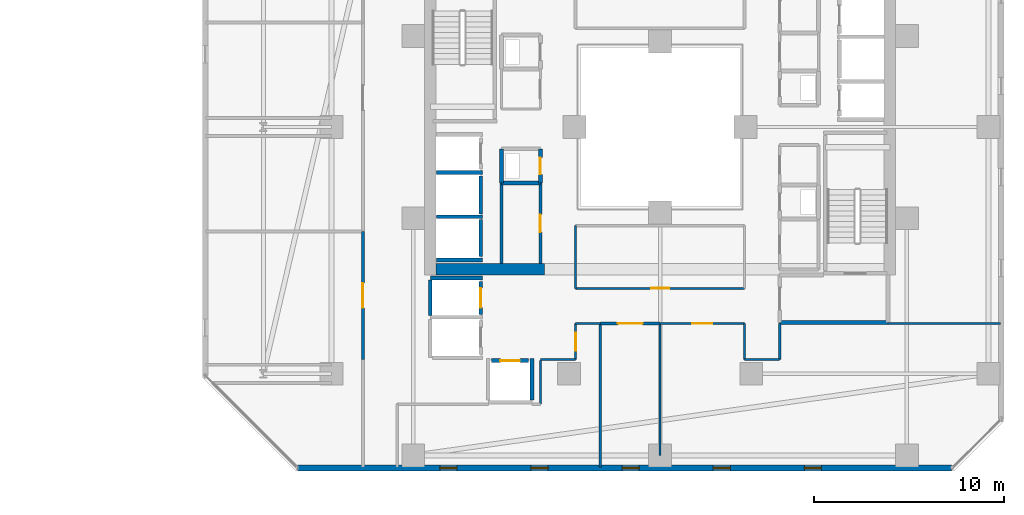
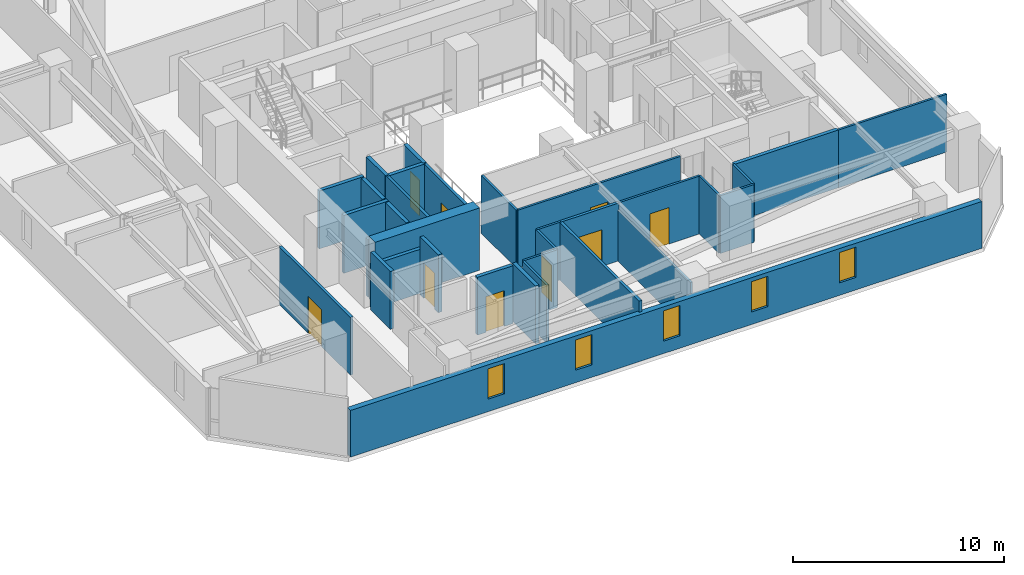
# One storey, part 21 of 31: 33 walls, 9 doors, 5 windows, 14 openings.
"""IFC4 building model written with IfcOpenShell, lengths in metres."""

from ifc_helpers import new_model, si_unit, direction, frame, frame_2d, origin, place, context, subcontext, project, spatial, rectangle, extrude, material, layer, layer_set, type_object, element, fill, save


model = new_model("IFC4")

# Units and contexts
model_context = context("Model", 3, precision=1e-05, world=origin(), true_north=direction((0.0, 1.0)))
body_context = subcontext(model_context, "Body", "Model", "MODEL_VIEW")
ifc_project = project(units=[si_unit("LENGTHUNIT", "METRE"), si_unit("AREAUNIT", "SQUARE_METRE"), si_unit("VOLUMEUNIT", "CUBIC_METRE"), si_unit("PLANEANGLEUNIT", "RADIAN"), si_unit("MASSUNIT", "GRAM", prefix="KILO")], contexts=[model_context])

# Site, building, storey
site_placement = place(None, origin())
site = spatial("IfcSite", under=ifc_project, at=site_placement, CompositionType="ELEMENT")
building_placement = place(site_placement, origin())
building = spatial("IfcBuilding", under=site, at=building_placement, Name="Thornwick Lancets Civic Towers", CompositionType="ELEMENT")
storey_placement = place(building_placement, frame((0.0, 0.0, 90.89990234375)))
storey = spatial("IfcBuildingStorey", under=building, at=storey_placement, Name="L23", CompositionType="ELEMENT", Elevation=90.89990234375)

# Walls
ifc_material_1 = material(Name="Concrete blockwork C40/50", Category="masonry")
ifc_layer_1 = layer(ifc_material_1, 0.199951171875, Name="Concrete blockwork C40/50")
ifc_layer_set_1 = layer_set([ifc_layer_1], Name="Concrete blockwork C40/50")
wall_type_1 = type_object("IfcWallType", Name="WALL_COMP_200", PredefinedType="STANDARD", material=ifc_layer_set_1)
wall_1_placement = place(storey_placement, frame((79.050048828125, 22.429931640625, 0.0), z_axis=(0.0, 0.0, 1.0), x_axis=(0.0, 1.0, 0.0)))
element("IfcWall", 1, at=wall_1_placement, inside=storey, type_object=wall_type_1, Name="L23 Hoistway Front Wall PL-BH2", PredefinedType="STANDARD", context=body_context, shape_type="SweptSolid", body=[
    extrude(rectangle(XDim=1.989990234375, YDim=0.199951171875, at=frame_2d((0.9951171875, 0.0))), origin(), (0.0, 0.0, 1.0), 3.340087890625),
])
wall_2_placement = place(storey_placement, frame((79.050048828125, 20.179931640625, 0.0), z_axis=(0.0, 0.0, 1.0), x_axis=(0.0, 1.0, 0.0)))
element("IfcWall", 2, at=wall_2_placement, inside=storey, type_object=wall_type_1, Name="L23 Hoistway Front Wall PL-BH3", PredefinedType="STANDARD", context=body_context, shape_type="SweptSolid", body=[
    extrude(rectangle(XDim=1.940185546875, YDim=0.199951171875, at=frame_2d((0.97021484375, 0.0))), origin(), (0.0, 0.0, 1.0), 3.340087890625),
])

# Wall, opening, door
wall_3_placement = place(storey_placement, frame((79.050048828125, 17.1298828125, 0.0), z_axis=(0.0, 0.0, 1.0), x_axis=(0.0, 1.0, 0.0)))
wall_3 = element("IfcWall", 3, at=wall_3_placement, inside=storey, type_object=wall_type_1, Name="L23 Hoistway Front Wall PL-BM1", PredefinedType="STANDARD", context=body_context, shape_type="SweptSolid", body=[
    extrude(rectangle(XDim=1.740234375, YDim=0.199951171875, at=frame_2d((0.8701171875, 0.0))), origin(), (0.0, 0.0, 1.0), 3.340087890625),
])
opening_1_placement = place(wall_3_placement, frame((0.360107421875, 0.0, 0.0)))
opening_1 = element("IfcOpeningElement", 4, at=opening_1_placement, cuts=wall_3, Name="Opening LD-PL-BM1", PredefinedType="OPENING", context=body_context, shape_type="SweptSolid", body=[
    extrude(rectangle(XDim=1.02001953125, YDim=2.06005859375, at=frame_2d((0.510009765625, 1.030029296875))), frame((0.0, 0.10986328125, 0.0), z_axis=(0.0, -1.0, 0.0), x_axis=(1.0, 0.0, 0.0)), (0.0, 0.0, 1.0), 0.219970703125),
])
ifc_material_2 = material(Name="Brushed bronze stainless steel", Category="steel")
door_type_1 = type_object("IfcDoorType", Name="DOOR_LIFT_SLIDE", OperationType="SLIDING_TO_LEFT", PredefinedType="DOOR", material=ifc_material_2)
door_1_placement = place(opening_1_placement, origin())
door_1 = element("IfcDoor", 5, at=door_1_placement, inside=storey, type_object=door_type_1, Name="L23 Sliding Lift Landing Door LD-PL-BM1", OperationType="SLIDING_TO_LEFT", OverallHeight=2.06005859375, OverallWidth=1.02001953125, PredefinedType="DOOR", context=body_context, shape_type="SweptSolid", body=[
    extrude(rectangle(XDim=1.02001953125, YDim=2.06005859375, at=frame_2d((0.510009765625, 1.030029296875))), frame((0.0, 0.02490234375, 0.0), z_axis=(0.0, -1.0, 0.0), x_axis=(1.0, 0.0, 0.0)), (0.0, 0.0, 1.0), 0.050048828125),
])
fill(opening_1, door_1)

wall_4_placement = place(storey_placement, frame((79.6298828125, 14.699951171875, 0.0), z_axis=(0.0, 0.0, 1.0), x_axis=(1.0, 0.0, 0.0)))
wall_4 = element("IfcWall", 6, at=wall_4_placement, inside=storey, type_object=wall_type_1, Name="L23 Hoistway Front Wall PL-BM3", PredefinedType="STANDARD", context=body_context, shape_type="SweptSolid", body=[
    extrude(rectangle(XDim=1.940185546875, YDim=0.199951171875, at=frame_2d((0.97021484375, 0.0))), origin(), (0.0, 0.0, 1.0), 3.340087890625),
])
opening_2_placement = place(wall_4_placement, frame((0.4599609375, 0.0, 0.0)))
opening_2 = element("IfcOpeningElement", 7, at=opening_2_placement, cuts=wall_4, Name="Opening LD-PL-BM3", PredefinedType="OPENING", context=body_context, shape_type="SweptSolid", body=[
    extrude(rectangle(XDim=1.02001953125, YDim=2.06005859375, at=frame_2d((0.510009765625, 1.030029296875))), frame((0.0, 0.10986328125, 0.0), z_axis=(0.0, -1.0, 0.0), x_axis=(1.0, 0.0, 0.0)), (0.0, 0.0, 1.0), 0.219970703125),
])
door_2_placement = place(opening_2_placement, origin())
door_2 = element("IfcDoor", 8, at=door_2_placement, inside=storey, type_object=door_type_1, Name="L23 Sliding Lift Landing Door LD-PL-BM3", OperationType="SLIDING_TO_LEFT", OverallHeight=2.06005859375, OverallWidth=1.02001953125, PredefinedType="DOOR", context=body_context, shape_type="SweptSolid", body=[
    extrude(rectangle(XDim=1.02001953125, YDim=2.06005859375, at=frame_2d((0.510009765625, 1.030029296875))), frame((0.0, 0.02490234375, 0.0), z_axis=(0.0, -1.0, 0.0), x_axis=(1.0, 0.0, 0.0)), (0.0, 0.0, 1.0), 0.050048828125),
])
fill(opening_2, door_2)

# Walls
for number, where, z_axis, x_axis, name in (
    (9, (76.7119140625, 24.60009765625, 0.0), (0.0, 0.0, 1.0), (1.0, 0.0, 0.0), "L23 Hoistway Shaft Wall FL-B2 S"),
    (10, (76.7119140625, 22.27490234375, 0.0), (0.0, 0.0, 1.0), (1.0, 0.0, 0.0), "L23 Hoistway Shaft Wall PL-BH2 S"),
    (11, (76.7119140625, 20.0, 0.0), (0.0, 0.0, 1.0), (1.0, 0.0, 0.0), "L23 Hoistway Shaft Wall PL-BH3 S"),
):
    element("IfcWall", number, at=place(storey_placement, frame(where, z_axis=z_axis, x_axis=x_axis)), inside=storey, type_object=wall_type_1, Name=name, PredefinedType="STANDARD", context=body_context, shape_type="SweptSolid", body=[
        extrude(rectangle(XDim=2.43603515625, YDim=0.199951171875, at=frame_2d((1.218017578125, 0.0))), origin(), (0.0, 0.0, 1.0), 3.340087890625),
    ])
wall_5_placement = place(storey_placement, frame((76.402099609375, 19.050048828125, 0.0), z_axis=(0.0, 0.0, 1.0), x_axis=(1.0, 0.0, 0.0)))
element("IfcWall", 12, at=wall_5_placement, inside=storey, type_object=wall_type_1, Name="L23 Hoistway Shaft Wall PL-BM1 N", PredefinedType="STANDARD", context=body_context, shape_type="SweptSolid", body=[
    extrude(rectangle(XDim=2.745849609375, YDim=0.199951171875, at=frame_2d((1.373046875, 0.0))), origin(), (0.0, 0.0, 1.0), 2.545166015625),
])
wall_6_placement = place(storey_placement, frame((76.39990234375, 17.08203125, 0.0), z_axis=(0.0, 0.0, 1.0), x_axis=(0.0, 1.0, 0.0)))
element("IfcWall", 13, at=wall_6_placement, inside=storey, type_object=wall_type_1, Name="L23 Hoistway Shaft Wall PL-BM1 W", PredefinedType="STANDARD", context=body_context, shape_type="SweptSolid", body=[
    extrude(rectangle(XDim=1.85595703125, YDim=0.199951171875, at=frame_2d((0.927978515625, 0.0))), origin(), (0.0, 0.0, 1.0), 3.340087890625),
])
wall_7_placement = place(storey_placement, frame((81.75, 12.612060546875, 0.0), z_axis=(0.0, 0.0, 1.0), x_axis=(0.0, 1.0, 0.0)))
element("IfcWall", 14, at=wall_7_placement, inside=storey, type_object=wall_type_1, Name="L23 Hoistway Shaft Wall PL-BM3 E", PredefinedType="STANDARD", context=body_context, shape_type="SweptSolid", body=[
    extrude(rectangle(XDim=2.18603515625, YDim=0.199951171875, at=frame_2d((1.093017578125, 0.0))), origin(), (0.0, 0.0, 1.0), 3.340087890625),
])
wall_8_placement = place(storey_placement, frame((94.800048828125, 16.699951171875, 0.0), z_axis=(0.0, 0.0, 1.0), x_axis=(1.0, 0.0, 0.0)))
element("IfcWall", 15, at=wall_8_placement, inside=storey, type_object=wall_type_1, Name="L23 Partition L23-B-FFLOB1 E1", PredefinedType="STANDARD", context=body_context, shape_type="SweptSolid", body=[
    extrude(rectangle(XDim=5.699951171875, YDim=0.199951171875, at=frame_2d((2.85009765625, 0.0))), origin(), (0.0, 0.0, 1.0), 3.340087890625),
])
wall_9_placement = place(storey_placement, frame((80.14990234375, 24.050048828125, 0.0), z_axis=(0.0, 0.0, 1.0), x_axis=(1.0, 0.0, 0.0)))
element("IfcWall", 16, at=wall_9_placement, inside=storey, type_object=wall_type_1, Name="L23 Partition L23-B-DUCT2 E1", PredefinedType="STANDARD", context=body_context, shape_type="SweptSolid", body=[
    extrude(rectangle(XDim=2.050048828125, YDim=0.199951171875, at=frame_2d((1.02490234375, 0.0))), origin(), (0.0, 0.0, 1.0), 3.340087890625),
])

# Wall, opening, door
wall_10_placement = place(storey_placement, frame((82.199951171875, 24.050048828125, 0.0), z_axis=(0.0, 0.0, 1.0), x_axis=(0.0, 1.0, 0.0)))
wall_10 = element("IfcWall", 17, at=wall_10_placement, inside=storey, type_object=wall_type_1, Name="L23 Partition L23-B-DUCT2 E2", PredefinedType="STANDARD", context=body_context, shape_type="SweptSolid", body=[
    extrude(rectangle(XDim=1.800048828125, YDim=0.199951171875, at=frame_2d((0.89990234375, 0.0))), origin(), (0.0, 0.0, 1.0), 3.340087890625),
])
opening_3_placement = place(wall_10_placement, frame((0.4599609375, 0.0, 0.0)))
opening_3 = element("IfcOpeningElement", 18, at=opening_3_placement, cuts=wall_10, Name="Opening D-L23-1073", PredefinedType="OPENING", context=body_context, shape_type="SweptSolid", body=[
    extrude(rectangle(XDim=0.8798828125, YDim=2.0400390625, at=frame_2d((0.43994140625, 1.02001953125))), frame((0.0, 0.10986328125, 0.0), z_axis=(0.0, -1.0, 0.0), x_axis=(1.0, 0.0, 0.0)), (0.0, 0.0, 1.0), 0.219970703125),
])
ifc_material_3 = material(Name="Steel riser access doorset", Category="steel")
door_type_2 = type_object("IfcDoorType", Name="DOOR_RISER_850", OperationType="NOTDEFINED", PredefinedType="DOOR", material=ifc_material_3)
door_3_placement = place(opening_3_placement, origin())
door_3 = element("IfcDoor", 19, at=door_3_placement, inside=storey, type_object=door_type_2, Name="L23 West Service Duct 2 Door", OperationType="SINGLE_SWING_RIGHT", OverallHeight=2.0400390625, OverallWidth=0.8798828125, PredefinedType="DOOR", context=body_context, shape_type="SweptSolid", body=[
    extrude(rectangle(XDim=0.8798828125, YDim=2.0400390625, at=frame_2d((0.43994140625, 1.02001953125))), frame((0.0, 0.02490234375, 0.0), z_axis=(0.0, -1.0, 0.0), x_axis=(1.0, 0.0, 0.0)), (0.0, 0.0, 1.0), 0.050048828125),
])
fill(opening_3, door_3)

# Walls
wall_11_placement = place(storey_placement, frame((80.14990234375, 25.85009765625, 0.0), z_axis=(0.0, 0.0, 1.0), x_axis=(0.0, -1.0, 0.0)))
element("IfcWall", 20, at=wall_11_placement, inside=storey, type_object=wall_type_1, Name="L23 Partition L23-B-DUCT2 E4", PredefinedType="STANDARD", context=body_context, shape_type="SweptSolid", body=[
    extrude(rectangle(XDim=1.800048828125, YDim=0.199951171875, at=frame_2d((0.89990234375, 0.0))), origin(), (0.0, 0.0, 1.0), 3.340087890625),
])
ifc_material_4 = material(Name="Concrete C60/75", Category="concrete")
ifc_layer_2 = layer(ifc_material_4, 0.60009765625, Name="Concrete C60/75")
ifc_layer_set_2 = layer_set([ifc_layer_2], Name="Concrete C60/75")
wall_type_2 = type_object("IfcWallType", Name="WALL_CORE_600", PredefinedType="SHEAR", material=ifc_layer_set_2)
wall_12_placement = place(storey_placement, frame((76.699951171875, 19.5, 0.0), z_axis=(0.0, 0.0, 1.0), x_axis=(1.0, 0.0, 0.0)))
element("IfcWall", 21, at=wall_12_placement, inside=storey, type_object=wall_type_2, Name="L23 Split Core B2 Shear Wall S", PredefinedType="SHEAR", context=body_context, shape_type="SweptSolid", body=[
    extrude(rectangle(XDim=5.699951171875, YDim=0.60009765625, at=frame_2d((2.85009765625, 0.0))), origin(), (0.0, 0.0, 1.0), 3.60009765625),
])

# Wall, openings, windows
ifc_material_5 = material(Name="Insulated russet terracotta rainscreen on concrete C40/50", Category="masonry")
ifc_layer_3 = layer(ifc_material_5, 0.300048828125, Name="Insulated russet terracotta rainscreen on concrete C40/50")
ifc_layer_set_3 = layer_set([ifc_layer_3], Name="Insulated russet terracotta rainscreen on concrete C40/50")
wall_type_3 = type_object("IfcWallType", Name="WALL_EXT_RUSSET_300", PredefinedType="STANDARD", material=ifc_layer_set_3)
wall_13_placement = place(storey_placement, frame((69.400634765625, 9.042724609375, 0.0), z_axis=(0.0, 0.0, 1.0), x_axis=(0.99999997744, -0.000212414941, 0.0)))
wall_13 = element("IfcWall", 22, at=wall_13_placement, inside=storey, type_object=wall_type_3, Name="L23 Tower B Terracotta Facade Wall E0", PredefinedType="STANDARD", context=body_context, shape_type="SweptSolid", body=[
    extrude(rectangle(XDim=34.480712890625, YDim=0.300048828125, at=frame_2d((17.240234375, 0.0))), origin(), (0.0, 0.0, 1.0), 2.7001953125),
])
opening_4_placement = place(wall_13_placement, frame((7.5, 0.0, 0.719970703125)))
opening_4 = element("IfcOpeningElement", 23, at=opening_4_placement, cuts=wall_13, Name="Opening WL-01", PredefinedType="OPENING", context=body_context, shape_type="SweptSolid", body=[
    extrude(rectangle(XDim=0.89990234375, YDim=1.75, at=frame_2d((0.449951171875, 0.875))), frame((0.0, 0.16015625, 0.0), z_axis=(0.0, -1.0, 0.0), x_axis=(1.0, 0.0, 0.0)), (0.0, 0.0, 1.0), 0.320068359375),
])
opening_5_placement = place(wall_13_placement, frame((12.300048828125, 0.0, 0.719970703125)))
opening_5 = element("IfcOpeningElement", 24, at=opening_5_placement, cuts=wall_13, Name="Opening WL-01", PredefinedType="OPENING", context=body_context, shape_type="SweptSolid", body=[
    extrude(rectangle(XDim=0.89990234375, YDim=1.75, at=frame_2d((0.449951171875, 0.875))), frame((0.0, 0.16015625, 0.0), z_axis=(0.0, -1.0, 0.0), x_axis=(1.0, 0.0, 0.0)), (0.0, 0.0, 1.0), 0.320068359375),
])
opening_6_placement = place(wall_13_placement, frame((17.10009765625, 0.0, 0.719970703125)))
opening_6 = element("IfcOpeningElement", 25, at=opening_6_placement, cuts=wall_13, Name="Opening WL-01", PredefinedType="OPENING", context=body_context, shape_type="SweptSolid", body=[
    extrude(rectangle(XDim=0.89990234375, YDim=1.75, at=frame_2d((0.449951171875, 0.875))), frame((0.0, 0.16015625, 0.0), z_axis=(0.0, -1.0, 0.0), x_axis=(1.0, 0.0, 0.0)), (0.0, 0.0, 1.0), 0.320068359375),
])
opening_7_placement = place(wall_13_placement, frame((21.89990234375, 0.0, 0.719970703125)))
opening_7 = element("IfcOpeningElement", 26, at=opening_7_placement, cuts=wall_13, Name="Opening WL-01", PredefinedType="OPENING", context=body_context, shape_type="SweptSolid", body=[
    extrude(rectangle(XDim=0.89990234375, YDim=1.75, at=frame_2d((0.449951171875, 0.875))), frame((0.0, 0.16015625, 0.0), z_axis=(0.0, -1.0, 0.0), x_axis=(1.0, 0.0, 0.0)), (0.0, 0.0, 1.0), 0.320068359375),
])
opening_8_placement = place(wall_13_placement, frame((26.699951171875, 0.0, 0.719970703125)))
opening_8 = element("IfcOpeningElement", 27, at=opening_8_placement, cuts=wall_13, Name="Opening WL-01", PredefinedType="OPENING", context=body_context, shape_type="SweptSolid", body=[
    extrude(rectangle(XDim=0.89990234375, YDim=1.75, at=frame_2d((0.449951171875, 0.875))), frame((0.0, 0.16015625, 0.0), z_axis=(0.0, -1.0, 0.0), x_axis=(1.0, 0.0, 0.0)), (0.0, 0.0, 1.0), 0.320068359375),
])
ifc_material_6 = material(Name="Clear low-e double glazing in bronze frame", Category="glass")
window_type = type_object("IfcWindowType", Name="WIN_LANCET_900", PartitioningType="SINGLE_PANEL", PredefinedType="WINDOW", material=ifc_material_6)
window_1_placement = place(opening_4_placement, origin())
window_1 = element("IfcWindow", 28, at=window_1_placement, inside=storey, type_object=window_type, Name="L23 Tower B Staggered Lancet Window E0-1", OverallHeight=1.75, OverallWidth=0.89990234375, PartitioningType="SINGLE_PANEL", PredefinedType="WINDOW", context=body_context, shape_type="SweptSolid", body=[
    extrude(rectangle(XDim=0.89990234375, YDim=1.75, at=frame_2d((0.449951171875, 0.875))), frame((0.0, 0.030029296875, 0.0), z_axis=(0.0, -1.0, 0.0), x_axis=(1.0, 0.0, 0.0)), (0.0, 0.0, 1.0), 0.06005859375),
])
fill(opening_4, window_1)
window_2_placement = place(opening_5_placement, origin())
window_2 = element("IfcWindow", 29, at=window_2_placement, inside=storey, type_object=window_type, Name="L23 Tower B Staggered Lancet Window E0-2", OverallHeight=1.75, OverallWidth=0.89990234375, PartitioningType="SINGLE_PANEL", PredefinedType="WINDOW", context=body_context, shape_type="SweptSolid", body=[
    extrude(rectangle(XDim=0.89990234375, YDim=1.75, at=frame_2d((0.449951171875, 0.875))), frame((0.0, 0.030029296875, 0.0), z_axis=(0.0, -1.0, 0.0), x_axis=(1.0, 0.0, 0.0)), (0.0, 0.0, 1.0), 0.06005859375),
])
fill(opening_5, window_2)
window_3_placement = place(opening_6_placement, origin())
window_3 = element("IfcWindow", 30, at=window_3_placement, inside=storey, type_object=window_type, Name="L23 Tower B Staggered Lancet Window E0-3", OverallHeight=1.75, OverallWidth=0.89990234375, PartitioningType="SINGLE_PANEL", PredefinedType="WINDOW", context=body_context, shape_type="SweptSolid", body=[
    extrude(rectangle(XDim=0.89990234375, YDim=1.75, at=frame_2d((0.449951171875, 0.875))), frame((0.0, 0.030029296875, 0.0), z_axis=(0.0, -1.0, 0.0), x_axis=(1.0, 0.0, 0.0)), (0.0, 0.0, 1.0), 0.06005859375),
])
fill(opening_6, window_3)
window_4_placement = place(opening_7_placement, origin())
window_4 = element("IfcWindow", 31, at=window_4_placement, inside=storey, type_object=window_type, Name="L23 Tower B Staggered Lancet Window E0-4", OverallHeight=1.75, OverallWidth=0.89990234375, PartitioningType="SINGLE_PANEL", PredefinedType="WINDOW", context=body_context, shape_type="SweptSolid", body=[
    extrude(rectangle(XDim=0.89990234375, YDim=1.75, at=frame_2d((0.449951171875, 0.875))), frame((0.0, 0.030029296875, 0.0), z_axis=(0.0, -1.0, 0.0), x_axis=(1.0, 0.0, 0.0)), (0.0, 0.0, 1.0), 0.06005859375),
])
fill(opening_7, window_4)
window_5_placement = place(opening_8_placement, origin())
window_5 = element("IfcWindow", 32, at=window_5_placement, inside=storey, type_object=window_type, Name="L23 Tower B Staggered Lancet Window E0-5", OverallHeight=1.75, OverallWidth=0.89990234375, PartitioningType="SINGLE_PANEL", PredefinedType="WINDOW", context=body_context, shape_type="SweptSolid", body=[
    extrude(rectangle(XDim=0.89990234375, YDim=1.75, at=frame_2d((0.449951171875, 0.875))), frame((0.0, 0.030029296875, 0.0), z_axis=(0.0, -1.0, 0.0), x_axis=(1.0, 0.0, 0.0)), (0.0, 0.0, 1.0), 0.06005859375),
])
fill(opening_8, window_5)

# Walls
ifc_material_7 = material(Name="Acoustic gypsum board partition")
ifc_layer_4 = layer(ifc_material_7, 0.1201171875, Name="Acoustic gypsum board partition")
ifc_layer_set_4 = layer_set([ifc_layer_4], Name="Acoustic gypsum board partition")
wall_type_4 = type_object("IfcWallType", Name="WALL_PART_120", PredefinedType="PARTITIONING", material=ifc_layer_set_4)
wall_14_placement = place(storey_placement, frame((92.949951171875, 16.64990234375, 0.0), z_axis=(0.0, 0.0, 1.0), x_axis=(0.0, -1.0, 0.0)))
element("IfcWall", 33, at=wall_14_placement, inside=storey, type_object=wall_type_4, Name="L23 Partition L23-B-W1 E1", PredefinedType="PARTITIONING", context=body_context, shape_type="SweptSolid", body=[
    extrude(rectangle(XDim=1.89990234375, YDim=0.1201171875, at=frame_2d((0.949951171875, 0.0))), origin(), (0.0, 0.0, 1.0), 3.340087890625),
])
wall_15_placement = place(storey_placement, frame((92.949951171875, 14.75, 0.0), z_axis=(0.0, 0.0, 1.0), x_axis=(1.0, 0.0, 0.0)))
element("IfcWall", 34, at=wall_15_placement, inside=storey, type_object=wall_type_4, Name="L23 Partition L23-B-W1 E2", PredefinedType="PARTITIONING", context=body_context, shape_type="SweptSolid", body=[
    extrude(rectangle(XDim=1.85009765625, YDim=0.1201171875, at=frame_2d((0.925048828125, 0.0))), origin(), (0.0, 0.0, 1.0), 3.340087890625),
])
wall_16_placement = place(storey_placement, frame((94.800048828125, 14.75, 0.0), z_axis=(0.0, 0.0, 1.0), x_axis=(0.0, 1.0, 0.0)))
element("IfcWall", 35, at=wall_16_placement, inside=storey, type_object=wall_type_4, Name="L23 Partition L23-B-W1 E3", PredefinedType="PARTITIONING", context=body_context, shape_type="SweptSolid", body=[
    extrude(rectangle(XDim=1.89990234375, YDim=0.1201171875, at=frame_2d((0.949951171875, 0.0))), origin(), (0.0, 0.0, 1.0), 3.340087890625),
])
wall_17_placement = place(storey_placement, frame((100.5, 16.64990234375, 0.0), z_axis=(0.0, 0.0, 1.0), x_axis=(1.0, 0.0, 0.0)))
element("IfcWall", 36, at=wall_17_placement, inside=storey, type_object=wall_type_4, Name="L23 Partition L23-B-W1 E4", PredefinedType="PARTITIONING", context=body_context, shape_type="SweptSolid", body=[
    extrude(rectangle(XDim=5.919921875, YDim=0.1201171875, at=frame_2d((2.9599609375, 0.0))), origin(), (0.0, 0.0, 1.0), 3.340087890625),
])
wall_18_placement = place(storey_placement, frame((88.5, 9.699951171875, 0.0), z_axis=(0.0, 0.0, 1.0), x_axis=(0.0, 1.0, 0.0)))
element("IfcWall", 37, at=wall_18_placement, inside=storey, type_object=wall_type_4, Name="L23 Partition L23-B-W1 E14", PredefinedType="PARTITIONING", context=body_context, shape_type="SweptSolid", body=[
    extrude(rectangle(XDim=6.949951171875, YDim=0.1201171875, at=frame_2d((3.47509765625, 0.0))), origin(), (0.0, 0.0, 1.0), 2.932373046875),
])

# Wall, opening, door
wall_19_placement = place(storey_placement, frame((88.5, 16.64990234375, 0.0), z_axis=(0.0, 0.0, 1.0), x_axis=(1.0, 0.0, 0.0)))
wall_19 = element("IfcWall", 38, at=wall_19_placement, inside=storey, type_object=wall_type_4, Name="L23 Partition L23-B-W1 E15", PredefinedType="PARTITIONING", context=body_context, shape_type="SweptSolid", body=[
    extrude(rectangle(XDim=4.449951171875, YDim=0.1201171875, at=frame_2d((2.22509765625, 0.0))), origin(), (0.0, 0.0, 1.0), 3.340087890625),
])
opening_9_placement = place(wall_19_placement, frame((1.699951171875, 0.0, 0.0)))
opening_9 = element("IfcOpeningElement", 39, at=opening_9_placement, cuts=wall_19, Name="Opening D-L23-1092", PredefinedType="OPENING", context=body_context, shape_type="SweptSolid", body=[
    extrude(rectangle(XDim=1.050048828125, YDim=2.10009765625, at=frame_2d((0.52490234375, 1.050048828125))), frame((0.0, 0.070068359375, 0.0), z_axis=(0.0, -1.0, 0.0), x_axis=(1.0, 0.0, 0.0)), (0.0, 0.0, 1.0), 0.14013671875),
])
ifc_material_8 = material(Name="Glazed European oak executive doorset")
door_type_3 = type_object("IfcDoorType", Name="DOOR_OFFICE_1050", OperationType="NOTDEFINED", PredefinedType="DOOR", material=ifc_material_8)
door_4_placement = place(opening_9_placement, origin())
door_4 = element("IfcDoor", 40, at=door_4_placement, inside=storey, type_object=door_type_3, Name="L23 Tower B Ministry Directorate Office W1 Door", OperationType="SINGLE_SWING_LEFT", OverallHeight=2.10009765625, OverallWidth=1.050048828125, PredefinedType="DOOR", context=body_context, shape_type="SweptSolid", body=[
    extrude(rectangle(XDim=1.050048828125, YDim=2.10009765625, at=frame_2d((0.52490234375, 1.050048828125))), frame((0.0, 0.02490234375, 0.0), z_axis=(0.0, -1.0, 0.0), x_axis=(1.0, 0.0, 0.0)), (0.0, 0.0, 1.0), 0.050048828125),
])
fill(opening_9, door_4)

# Walls
wall_20_placement = place(storey_placement, frame((82.199951171875, 12.39990234375, 0.0), z_axis=(0.0, 0.0, 1.0), x_axis=(0.0, 1.0, 0.0)))
element("IfcWall", 41, at=wall_20_placement, inside=storey, type_object=wall_type_4, Name="L23 Partition L23-B-W3 E1", PredefinedType="PARTITIONING", context=body_context, shape_type="SweptSolid", body=[
    extrude(rectangle(XDim=2.300048828125, YDim=0.1201171875, at=frame_2d((1.14990234375, 0.0))), origin(), (0.0, 0.0, 1.0), 3.340087890625),
])
wall_21_placement = place(storey_placement, frame((82.199951171875, 14.75, 0.0), z_axis=(0.0, 0.0, 1.0), x_axis=(1.0, 0.0, 0.0)))
element("IfcWall", 42, at=wall_21_placement, inside=storey, type_object=wall_type_4, Name="L23 Partition L23-B-W3 E3", PredefinedType="PARTITIONING", context=body_context, shape_type="SweptSolid", body=[
    extrude(rectangle(XDim=1.85009765625, YDim=0.1201171875, at=frame_2d((0.925048828125, 0.0))), origin(), (0.0, 0.0, 1.0), 3.340087890625),
])

# Wall, opening, door
wall_22_placement = place(storey_placement, frame((84.050048828125, 14.75, 0.0), z_axis=(0.0, 0.0, 1.0), x_axis=(0.0, 1.0, 0.0)))
wall_22 = element("IfcWall", 43, at=wall_22_placement, inside=storey, type_object=wall_type_4, Name="L23 Partition L23-B-W3 E4", PredefinedType="PARTITIONING", context=body_context, shape_type="SweptSolid", body=[
    extrude(rectangle(XDim=1.89990234375, YDim=0.1201171875, at=frame_2d((0.949951171875, 0.0))), origin(), (0.0, 0.0, 1.0), 3.340087890625),
])
opening_10_placement = place(wall_22_placement, frame((0.47509765625, 0.0, 0.0)))
opening_10 = element("IfcOpeningElement", 44, at=opening_10_placement, cuts=wall_22, Name="Opening D-L23-1094", PredefinedType="OPENING", context=body_context, shape_type="SweptSolid", body=[
    extrude(rectangle(XDim=0.949951171875, YDim=2.10009765625, at=frame_2d((0.47509765625, 1.050048828125))), frame((0.0, 0.070068359375, 0.0), z_axis=(0.0, -1.0, 0.0), x_axis=(1.0, 0.0, 0.0)), (0.0, 0.0, 1.0), 0.14013671875),
])
ifc_material_9 = material(Name="European oak acoustic doorset")
door_type_4 = type_object("IfcDoorType", Name="DOOR_OFFICE_950", OperationType="NOTDEFINED", PredefinedType="DOOR", material=ifc_material_9)
door_5_placement = place(opening_10_placement, origin())
door_5 = element("IfcDoor", 45, at=door_5_placement, inside=storey, type_object=door_type_4, Name="L23 Tower B Staff Tea Pantry and Lounge Door", OperationType="SINGLE_SWING_LEFT", OverallHeight=2.10009765625, OverallWidth=0.949951171875, PredefinedType="DOOR", context=body_context, shape_type="SweptSolid", body=[
    extrude(rectangle(XDim=0.949951171875, YDim=2.10009765625, at=frame_2d((0.47509765625, 1.050048828125))), frame((0.0, 0.02490234375, 0.0), z_axis=(0.0, -1.0, 0.0), x_axis=(1.0, 0.0, 0.0)), (0.0, 0.0, 1.0), 0.050048828125),
])
fill(opening_10, door_5)

# Walls
wall_23_placement = place(storey_placement, frame((84.050048828125, 16.64990234375, 0.0), z_axis=(0.0, 0.0, 1.0), x_axis=(1.0, 0.0, 0.0)))
element("IfcWall", 46, at=wall_23_placement, inside=storey, type_object=wall_type_4, Name="L23 Partition L23-B-W3 E5", PredefinedType="PARTITIONING", context=body_context, shape_type="SweptSolid", body=[
    extrude(rectangle(XDim=1.300048828125, YDim=0.1201171875, at=frame_2d((0.64990234375, 0.0))), origin(), (0.0, 0.0, 1.0), 3.340087890625),
])
wall_24_placement = place(storey_placement, frame((84.050048828125, 18.5, 0.0), z_axis=(0.0, 0.0, 1.0), x_axis=(0.0, 1.0, 0.0)))
element("IfcWall", 47, at=wall_24_placement, inside=storey, type_object=wall_type_4, Name="L23 Partition L23-B-ATR-W E1", PredefinedType="PARTITIONING", context=body_context, shape_type="SweptSolid", body=[
    extrude(rectangle(XDim=3.300048828125, YDim=0.1201171875, at=frame_2d((1.64990234375, 0.0))), origin(), (0.0, 0.0, 1.0), 3.340087890625),
])

# Wall, opening, door
wall_25_placement = place(storey_placement, frame((92.949951171875, 18.5, 0.0), z_axis=(0.0, 0.0, 1.0), x_axis=(-1.0, 0.0, 0.0)))
wall_25 = element("IfcWall", 48, at=wall_25_placement, inside=storey, type_object=wall_type_4, Name="L23 Partition L23-B-ATR-W E4", PredefinedType="PARTITIONING", context=body_context, shape_type="SweptSolid", body=[
    extrude(rectangle(XDim=8.89990234375, YDim=0.1201171875, at=frame_2d((4.449951171875, 0.0))), origin(), (0.0, 0.0, 1.0), 3.340087890625),
])
opening_11_placement = place(wall_25_placement, frame((3.97509765625, 0.0, 0.0)))
opening_11 = element("IfcOpeningElement", 49, at=opening_11_placement, cuts=wall_25, Name="Opening D-L23-1099", PredefinedType="OPENING", context=body_context, shape_type="SweptSolid", body=[
    extrude(rectangle(XDim=0.949951171875, YDim=2.10009765625, at=frame_2d((0.47509765625, 1.050048828125))), frame((0.0, 0.070068359375, 0.0), z_axis=(0.0, -1.0, 0.0), x_axis=(1.0, 0.0, 0.0)), (0.0, 0.0, 1.0), 0.14013671875),
])
door_6_placement = place(opening_11_placement, origin())
door_6 = element("IfcDoor", 50, at=door_6_placement, inside=storey, type_object=door_type_4, Name="L23 Tower B West Atrium Study Lounge Door", OperationType="SINGLE_SWING_RIGHT", OverallHeight=2.10009765625, OverallWidth=0.949951171875, PredefinedType="DOOR", context=body_context, shape_type="SweptSolid", body=[
    extrude(rectangle(XDim=0.949951171875, YDim=2.10009765625, at=frame_2d((0.47509765625, 1.050048828125))), frame((0.0, 0.02490234375, 0.0), z_axis=(0.0, -1.0, 0.0), x_axis=(1.0, 0.0, 0.0)), (0.0, 0.0, 1.0), 0.050048828125),
])
fill(opening_11, door_6)

# Wall
ifc_material_10 = material(Name="Twin-stud acoustic gypsum board")
ifc_layer_5 = layer(ifc_material_10, 0.14990234375, Name="Twin-stud acoustic gypsum board")
ifc_layer_set_5 = layer_set([ifc_layer_5], Name="Twin-stud acoustic gypsum board")
wall_type_5 = type_object("IfcWallType", Name="WALL_PART_150", PredefinedType="PARTITIONING", material=ifc_layer_set_5)
wall_26_placement = place(storey_placement, frame((80.14990234375, 19.800048828125, 0.0), z_axis=(0.0, 0.0, 1.0), x_axis=(0.0, 1.0, 0.0)))
element("IfcWall", 51, at=wall_26_placement, inside=storey, type_object=wall_type_5, Name="L23 Partition L23-B-FWC E2", PredefinedType="PARTITIONING", context=body_context, shape_type="SweptSolid", body=[
    extrude(rectangle(XDim=4.25, YDim=0.14990234375, at=frame_2d((2.125, 0.0))), origin(), (0.0, 0.0, 1.0), 3.340087890625),
])

# Wall, opening, door
wall_27_placement = place(storey_placement, frame((82.199951171875, 24.050048828125, 0.0), z_axis=(0.0, 0.0, 1.0), x_axis=(0.0, -1.0, 0.0)))
wall_27 = element("IfcWall", 52, at=wall_27_placement, inside=storey, type_object=wall_type_5, Name="L23 Partition L23-B-FWC E4", PredefinedType="PARTITIONING", context=body_context, shape_type="SweptSolid", body=[
    extrude(rectangle(XDim=4.25, YDim=0.14990234375, at=frame_2d((2.125, 0.0))), origin(), (0.0, 0.0, 1.0), 3.340087890625),
])
opening_12_placement = place(wall_27_placement, frame((1.6650390625, 0.0, 0.0)))
opening_12 = element("IfcOpeningElement", 53, at=opening_12_placement, cuts=wall_27, Name="Opening D-L23-1079", PredefinedType="OPENING", context=body_context, shape_type="SweptSolid", body=[
    extrude(rectangle(XDim=0.919921875, YDim=2.080078125, at=frame_2d((0.4599609375, 1.0400390625))), frame((0.0, 0.0849609375, 0.0), z_axis=(0.0, -1.0, 0.0), x_axis=(1.0, 0.0, 0.0)), (0.0, 0.0, 1.0), 0.169921875),
])
ifc_material_11 = material(Name="Moisture-resistant oak doorset")
door_type_5 = type_object("IfcDoorType", Name="DOOR_WC_900", OperationType="NOTDEFINED", PredefinedType="DOOR", material=ifc_material_11)
door_7_placement = place(opening_12_placement, origin())
door_7 = element("IfcDoor", 54, at=door_7_placement, inside=storey, type_object=door_type_5, Name="L23 Tower B Female WC Door", OperationType="SINGLE_SWING_RIGHT", OverallHeight=2.080078125, OverallWidth=0.919921875, PredefinedType="DOOR", context=body_context, shape_type="SweptSolid", body=[
    extrude(rectangle(XDim=0.919921875, YDim=2.080078125, at=frame_2d((0.4599609375, 1.0400390625))), frame((0.0, 0.02490234375, 0.0), z_axis=(0.0, -1.0, 0.0), x_axis=(1.0, 0.0, 0.0)), (0.0, 0.0, 1.0), 0.050048828125),
])
fill(opening_12, door_7)

# Wall
wall_28_placement = place(storey_placement, frame((85.35009765625, 9.080078125, 0.0), z_axis=(0.0, 0.0, 1.0), x_axis=(0.0, 1.0, 0.0)))
element("IfcWall", 55, at=wall_28_placement, inside=storey, type_object=wall_type_5, Name="L23 Partition L23-B-W2 E5", PredefinedType="PARTITIONING", context=body_context, shape_type="SweptSolid", body=[
    extrude(rectangle(XDim=7.56982421875, YDim=0.14990234375, at=frame_2d((3.784912109375, 0.0))), origin(), (0.0, 0.0, 1.0), 3.340087890625),
])

# Wall, opening, door
wall_29_placement = place(storey_placement, frame((85.35009765625, 16.64990234375, 0.0), z_axis=(0.0, 0.0, 1.0), x_axis=(1.0, 0.0, 0.0)))
wall_29 = element("IfcWall", 56, at=wall_29_placement, inside=storey, type_object=wall_type_5, Name="L23 Partition L23-B-W2 E6", PredefinedType="PARTITIONING", context=body_context, shape_type="SweptSolid", body=[
    extrude(rectangle(XDim=3.14990234375, YDim=0.14990234375, at=frame_2d((1.574951171875, 0.0))), origin(), (0.0, 0.0, 1.0), 3.340087890625),
])
opening_13_placement = place(wall_29_placement, frame((0.925048828125, 0.0, 0.0)))
opening_13 = element("IfcOpeningElement", 57, at=opening_13_placement, cuts=wall_29, Name="Opening D-L23-1093", PredefinedType="OPENING", context=body_context, shape_type="SweptSolid", body=[
    extrude(rectangle(XDim=1.300048828125, YDim=2.1201171875, at=frame_2d((0.64990234375, 1.06005859375))), frame((0.0, 0.0849609375, 0.0), z_axis=(0.0, -1.0, 0.0), x_axis=(1.0, 0.0, 0.0)), (0.0, 0.0, 1.0), 0.169921875),
])
ifc_material_12 = material(Name="Acoustic oak leaf-and-a-half doorset")
door_type_6 = type_object("IfcDoorType", Name="DOOR_MEET_1300", OperationType="DOUBLE_DOOR_SINGLE_SWING", PredefinedType="DOOR", material=ifc_material_12)
door_8_placement = place(opening_13_placement, origin())
door_8 = element("IfcDoor", 58, at=door_8_placement, inside=storey, type_object=door_type_6, Name="L23 Tower B Policy Briefing Room W2 Door", OperationType="DOUBLE_DOOR_SINGLE_SWING", OverallHeight=2.1201171875, OverallWidth=1.300048828125, PredefinedType="DOOR", context=body_context, shape_type="SweptSolid", body=[
    extrude(rectangle(XDim=1.300048828125, YDim=2.1201171875, at=frame_2d((0.64990234375, 1.06005859375))), frame((0.0, 0.02490234375, 0.0), z_axis=(0.0, -1.0, 0.0), x_axis=(1.0, 0.0, 0.0)), (0.0, 0.0, 1.0), 0.050048828125),
])
fill(opening_13, door_8)

wall_30_placement = place(storey_placement, frame((72.85009765625, 21.5, 0.0), z_axis=(0.0, 0.0, 1.0), x_axis=(0.0, -1.0, 0.0)))
wall_30 = element("IfcWall", 59, at=wall_30_placement, inside=storey, type_object=wall_type_5, Name="L23 Partition L23-B-N-CONF E9", PredefinedType="PARTITIONING", context=body_context, shape_type="SweptSolid", body=[
    extrude(rectangle(XDim=6.75, YDim=0.14990234375, at=frame_2d((3.375, 0.0))), origin(), (0.0, 0.0, 1.0), 3.340087890625),
])
opening_14_placement = place(wall_30_placement, frame((2.72509765625, 0.0, 0.0)))
opening_14 = element("IfcOpeningElement", 60, at=opening_14_placement, cuts=wall_30, Name="Opening D-L23-1100", PredefinedType="OPENING", context=body_context, shape_type="SweptSolid", body=[
    extrude(rectangle(XDim=1.300048828125, YDim=2.1201171875, at=frame_2d((0.64990234375, 1.06005859375))), frame((0.0, 0.0849609375, 0.0), z_axis=(0.0, -1.0, 0.0), x_axis=(1.0, 0.0, 0.0)), (0.0, 0.0, 1.0), 0.169921875),
])
door_9_placement = place(opening_14_placement, origin())
door_9 = element("IfcDoor", 61, at=door_9_placement, inside=storey, type_object=door_type_6, Name="L23 Tower B North-West Conference Room Door", OperationType="DOUBLE_DOOR_SINGLE_SWING", OverallHeight=2.1201171875, OverallWidth=1.300048828125, PredefinedType="DOOR", context=body_context, shape_type="SweptSolid", body=[
    extrude(rectangle(XDim=1.300048828125, YDim=2.1201171875, at=frame_2d((0.64990234375, 1.06005859375))), frame((0.0, 0.02490234375, 0.0), z_axis=(0.0, -1.0, 0.0), x_axis=(1.0, 0.0, 0.0)), (0.0, 0.0, 1.0), 0.050048828125),
])
fill(opening_14, door_9)

save(model, "model.ifc")
